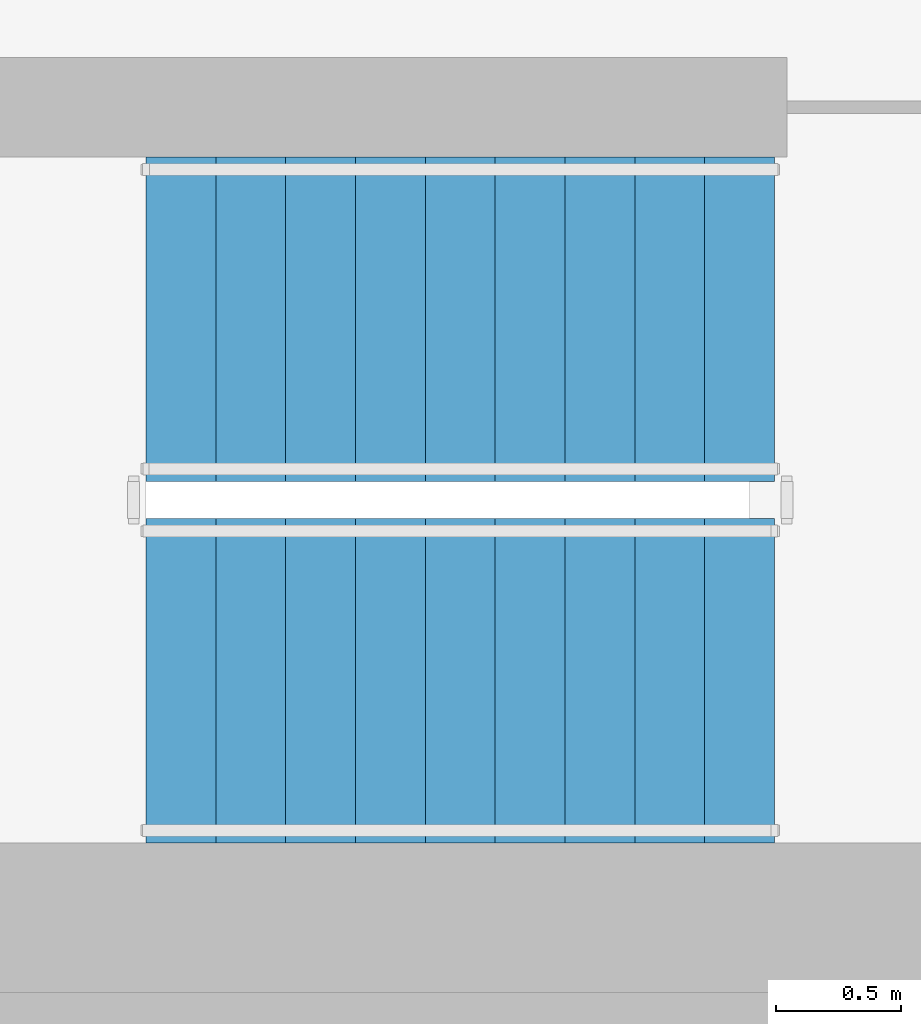
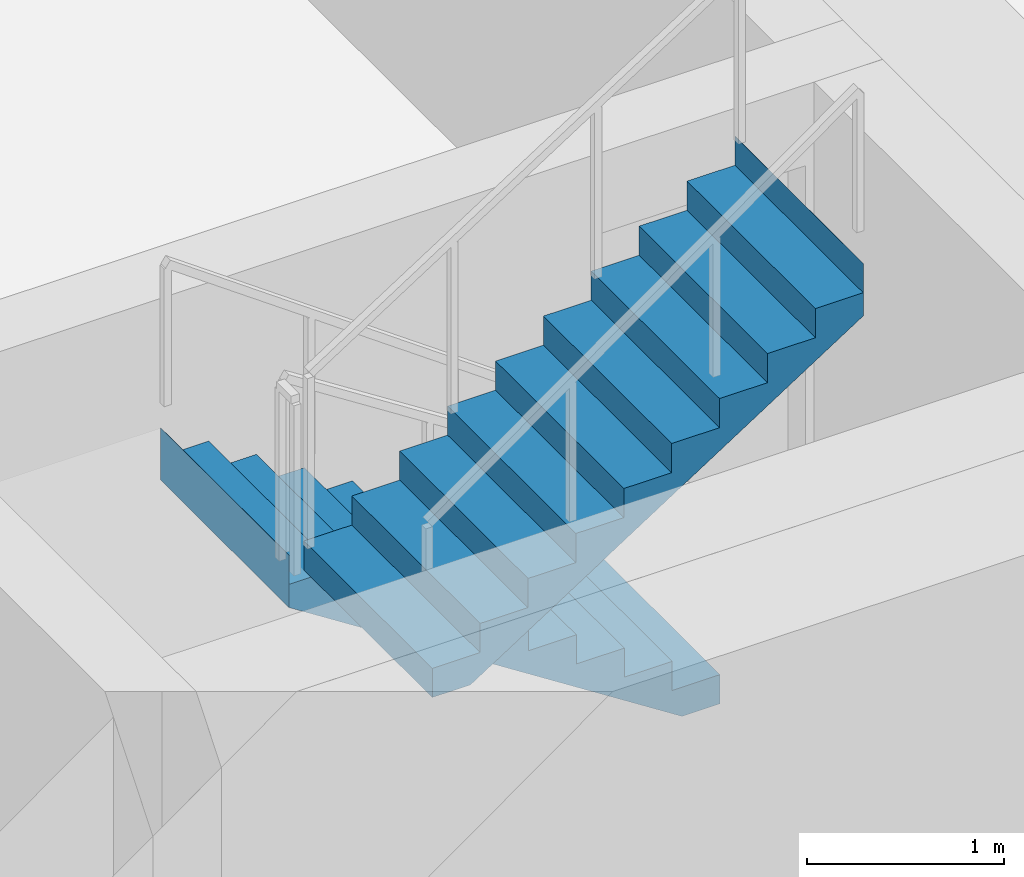
# One storey, part 18 of 22: 2 stair flights, 1 element without a shape of its own.
"""IFC4 building model written with IfcOpenShell, lengths in metres."""

from ifc_helpers import new_model, si_unit, direction, frame, origin, place, context, subcontext, project, spatial, triangles, material, type_object, element, aggregate, save


model = new_model("IFC4")

# Units and contexts
model_context = context("Model", 3, precision=1e-05, world=origin(), true_north=direction((0.0, 1.0)))
body_context = subcontext(model_context, "Body", "Model", "MODEL_VIEW")
ifc_project = project(units=[si_unit("LENGTHUNIT", "METRE"), si_unit("AREAUNIT", "SQUARE_METRE"), si_unit("VOLUMEUNIT", "CUBIC_METRE"), si_unit("PLANEANGLEUNIT", "RADIAN"), si_unit("MASSUNIT", "GRAM", prefix="KILO")], contexts=[model_context])

# Site, building, storey
site_placement = place(None, origin())
site = spatial("IfcSite", under=ifc_project, at=site_placement, CompositionType="ELEMENT")
building_placement = place(site_placement, origin())
building = spatial("IfcBuilding", under=site, at=building_placement, Name="Beryl Residences", CompositionType="ELEMENT")
storey_placement = place(building_placement, frame((0.0, 0.0, 153.60009765625)))
storey = spatial("IfcBuildingStorey", under=building, at=storey_placement, Name="L47", CompositionType="ELEMENT", Elevation=153.60009765625)

# Stair, stair flights
ifc_material_1 = material(Name="Concrete C40/50", Category="concrete")
stair_type = type_object("IfcStairType", Name="ST1 protected exit stair, half-turn, 1300 mm flights", PredefinedType="HALF_TURN_STAIR", material=ifc_material_1)
stair_placement = place(storey_placement, origin())
stair = element("IfcStair", 1, at=stair_placement, inside=storey, type_object=stair_type, Name="L47 PROTECTED EXIT STAIR ST-3", PredefinedType="HALF_TURN_STAIR")
ifc_material_2 = material(Name="Concrete C40/50", Category="concrete")
stair_flight_type = type_object("IfcStairFlightType", Name="SF1 stair flight 1300 mm", PredefinedType="STRAIGHT", material=ifc_material_2)
stair_flight_1_placement = place(storey_placement, frame((10.800048828125, -15.5, 0.0), z_axis=(0.0, 0.0, 1.0), x_axis=(-1.0, 0.0, 0.0)))
stair_flight_1 = element("IfcStairFlight", 2, at=stair_flight_1_placement, type_object=stair_flight_type, Name="ST-3 flight 1", NumberOfRisers=10, NumberOfTreads=9, PredefinedType="STRAIGHT", RiserHeight=0.18, TreadLength=0.28, context=body_context, shape_type="Tessellation", body=[
    triangles([(0.0, -0.64990234375, 0.0), (0.0, -0.324951171875, 0.0), (0.0, 0.0, 0.0), (0.0, 0.324951171875, 0.0), (0.0, 0.64990234375, 0.0), (0.0, -0.64990234375, 0.179931640625), (0.0, -0.324951171875, 0.179931640625), (0.0, 0.0, 0.179931640625), (0.0, 0.324951171875, 0.179931640625), (0.0, 0.64990234375, 0.179931640625), (0.280029296875, -0.64990234375, 0.179931640625), (0.280029296875, -0.324951171875, 0.179931640625), (0.280029296875, 0.0, 0.179931640625), (0.280029296875, 0.324951171875, 0.179931640625), (0.280029296875, 0.64990234375, 0.179931640625), (0.280029296875, -0.64990234375, 0.360107421875), (0.280029296875, -0.324951171875, 0.360107421875), (0.280029296875, 0.0, 0.360107421875), (0.280029296875, 0.324951171875, 0.360107421875), (0.280029296875, 0.64990234375, 0.360107421875), (0.56005859375, -0.64990234375, 0.360107421875), (0.56005859375, -0.324951171875, 0.360107421875), (0.56005859375, 0.0, 0.360107421875), (0.56005859375, 0.324951171875, 0.360107421875), (0.56005859375, 0.64990234375, 0.360107421875), (0.56005859375, -0.64990234375, 0.5400390625), (0.56005859375, -0.324951171875, 0.5400390625), (0.56005859375, 0.0, 0.5400390625), (0.56005859375, 0.324951171875, 0.5400390625), (0.56005859375, 0.64990234375, 0.5400390625), (0.840087890625, -0.64990234375, 0.5400390625), (0.840087890625, -0.324951171875, 0.5400390625), (0.840087890625, 0.0, 0.5400390625), (0.840087890625, 0.324951171875, 0.5400390625), (0.840087890625, 0.64990234375, 0.5400390625), (0.840087890625, -0.64990234375, 0.719970703125), (0.840087890625, -0.324951171875, 0.719970703125), (0.840087890625, 0.0, 0.719970703125), (0.840087890625, 0.324951171875, 0.719970703125), (0.840087890625, 0.64990234375, 0.719970703125), (1.1201171875, -0.64990234375, 0.719970703125), (1.1201171875, -0.324951171875, 0.719970703125), (1.1201171875, 0.0, 0.719970703125), (1.1201171875, 0.324951171875, 0.719970703125), (1.1201171875, 0.64990234375, 0.719970703125), (1.1201171875, -0.64990234375, 0.89990234375), (1.1201171875, -0.324951171875, 0.89990234375), (1.1201171875, 0.0, 0.89990234375), (1.1201171875, 0.324951171875, 0.89990234375), (1.1201171875, 0.64990234375, 0.89990234375), (1.39990234375, -0.64990234375, 0.89990234375), (1.39990234375, -0.324951171875, 0.89990234375), (1.39990234375, 0.0, 0.89990234375), (1.39990234375, 0.324951171875, 0.89990234375), (1.39990234375, 0.64990234375, 0.89990234375), (1.39990234375, -0.64990234375, 1.080078125), (1.39990234375, -0.324951171875, 1.080078125), (1.39990234375, 0.0, 1.080078125), (1.39990234375, 0.324951171875, 1.080078125), (1.39990234375, 0.64990234375, 1.080078125), (1.679931640625, -0.64990234375, 1.080078125), (1.679931640625, -0.324951171875, 1.080078125), (1.679931640625, 0.0, 1.080078125), (1.679931640625, 0.324951171875, 1.080078125), (1.679931640625, 0.64990234375, 1.080078125), (1.679931640625, -0.64990234375, 1.260009765625), (1.679931640625, -0.324951171875, 1.260009765625), (1.679931640625, 0.0, 1.260009765625), (1.679931640625, 0.324951171875, 1.260009765625), (1.679931640625, 0.64990234375, 1.260009765625), (1.9599609375, -0.64990234375, 1.260009765625), (1.9599609375, -0.324951171875, 1.260009765625), (1.9599609375, 0.0, 1.260009765625), (1.9599609375, 0.324951171875, 1.260009765625), (1.9599609375, 0.64990234375, 1.260009765625), (1.9599609375, -0.64990234375, 1.43994140625), (1.9599609375, -0.324951171875, 1.43994140625), (1.9599609375, 0.0, 1.43994140625), (1.9599609375, 0.324951171875, 1.43994140625), (1.9599609375, 0.64990234375, 1.43994140625), (2.239990234375, -0.64990234375, 1.43994140625), (2.239990234375, -0.324951171875, 1.43994140625), (2.239990234375, 0.0, 1.43994140625), (2.239990234375, 0.324951171875, 1.43994140625), (2.239990234375, 0.64990234375, 1.43994140625), (2.239990234375, -0.64990234375, 1.6201171875), (2.239990234375, -0.324951171875, 1.6201171875), (2.239990234375, 0.0, 1.6201171875), (2.239990234375, 0.324951171875, 1.6201171875), (2.239990234375, 0.64990234375, 1.6201171875), (2.52001953125, -0.64990234375, 1.6201171875), (2.52001953125, -0.324951171875, 1.6201171875), (2.52001953125, 0.0, 1.6201171875), (2.52001953125, 0.324951171875, 1.6201171875), (2.52001953125, 0.64990234375, 1.6201171875), (2.52001953125, -0.64990234375, 1.800048828125), (2.52001953125, -0.324951171875, 1.800048828125), (2.52001953125, 0.0, 1.800048828125), (2.52001953125, 0.324951171875, 1.800048828125), (2.52001953125, 0.64990234375, 1.800048828125), (2.52099609375, -0.64990234375, 1.800048828125), (2.52099609375, -0.324951171875, 1.800048828125), (2.52099609375, 0.0, 1.800048828125), (2.52099609375, 0.324951171875, 1.800048828125), (2.52099609375, 0.64990234375, 1.800048828125), (2.52099609375, -0.64990234375, 1.477294921875), (2.52099609375, -0.324951171875, 1.477294921875), (2.52099609375, 0.0, 1.477294921875), (2.52099609375, 0.324951171875, 1.477294921875), (2.52099609375, 0.64990234375, 1.477294921875), (0.22314453125, -0.64990234375, 0.0), (0.22314453125, -0.324951171875, 0.0), (0.22314453125, 0.0, 0.0), (0.22314453125, 0.324951171875, 0.0), (0.22314453125, 0.64990234375, 0.0)], [[1, 6, 7], [1, 7, 2], [2, 7, 8], [2, 8, 3], [3, 8, 9], [3, 9, 4], [4, 9, 10], [4, 10, 5], [6, 11, 12], [6, 12, 7], [7, 12, 13], [7, 13, 8], [8, 13, 14], [8, 14, 9], [9, 14, 15], [9, 15, 10], [11, 16, 17], [11, 17, 12], [12, 17, 18], [12, 18, 13], [13, 18, 19], [13, 19, 14], [14, 19, 20], [14, 20, 15], [16, 21, 22], [16, 22, 17], [17, 22, 23], [17, 23, 18], [18, 23, 24], [18, 24, 19], [19, 24, 25], [19, 25, 20], [21, 26, 27], [21, 27, 22], [22, 27, 28], [22, 28, 23], [23, 28, 29], [23, 29, 24], [24, 29, 30], [24, 30, 25], [26, 31, 32], [26, 32, 27], [27, 32, 33], [27, 33, 28], [28, 33, 34], [28, 34, 29], [29, 34, 35], [29, 35, 30], [31, 36, 37], [31, 37, 32], [32, 37, 38], [32, 38, 33], [33, 38, 39], [33, 39, 34], [34, 39, 40], [34, 40, 35], [36, 41, 42], [36, 42, 37], [37, 42, 43], [37, 43, 38], [38, 43, 44], [38, 44, 39], [39, 44, 45], [39, 45, 40], [41, 46, 47], [41, 47, 42], [42, 47, 48], [42, 48, 43], [43, 48, 49], [43, 49, 44], [44, 49, 50], [44, 50, 45], [46, 51, 52], [46, 52, 47], [47, 52, 53], [47, 53, 48], [48, 53, 54], [48, 54, 49], [49, 54, 55], [49, 55, 50], [51, 56, 57], [51, 57, 52], [52, 57, 58], [52, 58, 53], [53, 58, 59], [53, 59, 54], [54, 59, 60], [54, 60, 55], [56, 61, 62], [56, 62, 57], [57, 62, 63], [57, 63, 58], [58, 63, 64], [58, 64, 59], [59, 64, 65], [59, 65, 60], [61, 66, 67], [61, 67, 62], [62, 67, 68], [62, 68, 63], [63, 68, 69], [63, 69, 64], [64, 69, 70], [64, 70, 65], [66, 71, 72], [66, 72, 67], [67, 72, 73], [67, 73, 68], [68, 73, 74], [68, 74, 69], [69, 74, 75], [69, 75, 70], [71, 76, 77], [71, 77, 72], [72, 77, 78], [72, 78, 73], [73, 78, 79], [73, 79, 74], [74, 79, 80], [74, 80, 75], [76, 81, 82], [76, 82, 77], [77, 82, 83], [77, 83, 78], [78, 83, 84], [78, 84, 79], [79, 84, 85], [79, 85, 80], [81, 86, 87], [81, 87, 82], [82, 87, 88], [82, 88, 83], [83, 88, 89], [83, 89, 84], [84, 89, 90], [84, 90, 85], [86, 91, 92], [86, 92, 87], [87, 92, 93], [87, 93, 88], [88, 93, 94], [88, 94, 89], [89, 94, 95], [89, 95, 90], [91, 96, 97], [91, 97, 92], [92, 97, 98], [92, 98, 93], [93, 98, 99], [93, 99, 94], [94, 99, 100], [94, 100, 95], [96, 101, 102], [96, 102, 97], [97, 102, 103], [97, 103, 98], [98, 103, 104], [98, 104, 99], [99, 104, 105], [99, 105, 100], [101, 106, 107], [101, 107, 102], [102, 107, 108], [102, 108, 103], [103, 108, 109], [103, 109, 104], [104, 109, 110], [104, 110, 105], [106, 111, 112], [106, 112, 107], [107, 112, 113], [107, 113, 108], [108, 113, 114], [108, 114, 109], [109, 114, 115], [109, 115, 110], [111, 1, 2], [111, 2, 112], [112, 2, 3], [112, 3, 113], [113, 3, 4], [113, 4, 114], [114, 4, 5], [114, 5, 115], [1, 111, 106], [5, 110, 115], [106, 101, 96], [110, 100, 105], [106, 96, 91], [110, 95, 100], [106, 91, 86], [110, 90, 95], [106, 86, 81], [110, 85, 90], [81, 76, 71], [85, 75, 80], [106, 81, 71], [110, 75, 85], [71, 66, 61], [75, 65, 70], [106, 71, 61], [110, 65, 75], [61, 56, 51], [65, 55, 60], [106, 61, 51], [110, 55, 65], [51, 46, 41], [55, 45, 50], [106, 51, 41], [110, 45, 55], [41, 36, 31], [45, 35, 40], [106, 41, 31], [110, 35, 45], [31, 26, 21], [35, 25, 30], [106, 31, 21], [110, 25, 35], [21, 16, 11], [25, 15, 20], [106, 21, 11], [110, 15, 25], [1, 106, 11], [5, 15, 110], [11, 6, 1], [15, 5, 10]], closed=True),
])
stair_flight_2_placement = place(storey_placement, frame((8.280029296875, -16.949951171875, 1.7998046875), z_axis=(0.0, 0.0, 1.0), x_axis=(1.0, 0.0, 0.0)))
stair_flight_2 = element("IfcStairFlight", 3, at=stair_flight_2_placement, type_object=stair_flight_type, Name="ST-3 flight 2", NumberOfRisers=10, NumberOfTreads=9, PredefinedType="STRAIGHT", RiserHeight=0.18, TreadLength=0.28, context=body_context, shape_type="Tessellation", body=[
    triangles([(0.0, -0.64990234375, 0.0), (0.0, -0.324951171875, 0.0), (0.0, 0.0, 0.0), (0.0, 0.324951171875, 0.0), (0.0, 0.64990234375, 0.0), (0.0, -0.64990234375, 0.179931640625), (0.0, -0.324951171875, 0.179931640625), (0.0, 0.0, 0.179931640625), (0.0, 0.324951171875, 0.179931640625), (0.0, 0.64990234375, 0.179931640625), (0.280029296875, -0.64990234375, 0.179931640625), (0.280029296875, -0.324951171875, 0.179931640625), (0.280029296875, 0.0, 0.179931640625), (0.280029296875, 0.324951171875, 0.179931640625), (0.280029296875, 0.64990234375, 0.179931640625), (0.280029296875, -0.64990234375, 0.360107421875), (0.280029296875, -0.324951171875, 0.360107421875), (0.280029296875, 0.0, 0.360107421875), (0.280029296875, 0.324951171875, 0.360107421875), (0.280029296875, 0.64990234375, 0.360107421875), (0.56005859375, -0.64990234375, 0.360107421875), (0.56005859375, -0.324951171875, 0.360107421875), (0.56005859375, 0.0, 0.360107421875), (0.56005859375, 0.324951171875, 0.360107421875), (0.56005859375, 0.64990234375, 0.360107421875), (0.56005859375, -0.64990234375, 0.5400390625), (0.56005859375, -0.324951171875, 0.5400390625), (0.56005859375, 0.0, 0.5400390625), (0.56005859375, 0.324951171875, 0.5400390625), (0.56005859375, 0.64990234375, 0.5400390625), (0.840087890625, -0.64990234375, 0.5400390625), (0.840087890625, -0.324951171875, 0.5400390625), (0.840087890625, 0.0, 0.5400390625), (0.840087890625, 0.324951171875, 0.5400390625), (0.840087890625, 0.64990234375, 0.5400390625), (0.840087890625, -0.64990234375, 0.719970703125), (0.840087890625, -0.324951171875, 0.719970703125), (0.840087890625, 0.0, 0.719970703125), (0.840087890625, 0.324951171875, 0.719970703125), (0.840087890625, 0.64990234375, 0.719970703125), (1.1201171875, -0.64990234375, 0.719970703125), (1.1201171875, -0.324951171875, 0.719970703125), (1.1201171875, 0.0, 0.719970703125), (1.1201171875, 0.324951171875, 0.719970703125), (1.1201171875, 0.64990234375, 0.719970703125), (1.1201171875, -0.64990234375, 0.89990234375), (1.1201171875, -0.324951171875, 0.89990234375), (1.1201171875, 0.0, 0.89990234375), (1.1201171875, 0.324951171875, 0.89990234375), (1.1201171875, 0.64990234375, 0.89990234375), (1.39990234375, -0.64990234375, 0.89990234375), (1.39990234375, -0.324951171875, 0.89990234375), (1.39990234375, 0.0, 0.89990234375), (1.39990234375, 0.324951171875, 0.89990234375), (1.39990234375, 0.64990234375, 0.89990234375), (1.39990234375, -0.64990234375, 1.080078125), (1.39990234375, -0.324951171875, 1.080078125), (1.39990234375, 0.0, 1.080078125), (1.39990234375, 0.324951171875, 1.080078125), (1.39990234375, 0.64990234375, 1.080078125), (1.679931640625, -0.64990234375, 1.080078125), (1.679931640625, -0.324951171875, 1.080078125), (1.679931640625, 0.0, 1.080078125), (1.679931640625, 0.324951171875, 1.080078125), (1.679931640625, 0.64990234375, 1.080078125), (1.679931640625, -0.64990234375, 1.260009765625), (1.679931640625, -0.324951171875, 1.260009765625), (1.679931640625, 0.0, 1.260009765625), (1.679931640625, 0.324951171875, 1.260009765625), (1.679931640625, 0.64990234375, 1.260009765625), (1.9599609375, -0.64990234375, 1.260009765625), (1.9599609375, -0.324951171875, 1.260009765625), (1.9599609375, 0.0, 1.260009765625), (1.9599609375, 0.324951171875, 1.260009765625), (1.9599609375, 0.64990234375, 1.260009765625), (1.9599609375, -0.64990234375, 1.43994140625), (1.9599609375, -0.324951171875, 1.43994140625), (1.9599609375, 0.0, 1.43994140625), (1.9599609375, 0.324951171875, 1.43994140625), (1.9599609375, 0.64990234375, 1.43994140625), (2.239990234375, -0.64990234375, 1.43994140625), (2.239990234375, -0.324951171875, 1.43994140625), (2.239990234375, 0.0, 1.43994140625), (2.239990234375, 0.324951171875, 1.43994140625), (2.239990234375, 0.64990234375, 1.43994140625), (2.239990234375, -0.64990234375, 1.6201171875), (2.239990234375, -0.324951171875, 1.6201171875), (2.239990234375, 0.0, 1.6201171875), (2.239990234375, 0.324951171875, 1.6201171875), (2.239990234375, 0.64990234375, 1.6201171875), (2.52001953125, -0.64990234375, 1.6201171875), (2.52001953125, -0.324951171875, 1.6201171875), (2.52001953125, 0.0, 1.6201171875), (2.52001953125, 0.324951171875, 1.6201171875), (2.52001953125, 0.64990234375, 1.6201171875), (2.52001953125, -0.64990234375, 1.800048828125), (2.52001953125, -0.324951171875, 1.800048828125), (2.52001953125, 0.0, 1.800048828125), (2.52001953125, 0.324951171875, 1.800048828125), (2.52001953125, 0.64990234375, 1.800048828125), (2.52099609375, -0.64990234375, 1.800048828125), (2.52099609375, -0.324951171875, 1.800048828125), (2.52099609375, 0.0, 1.800048828125), (2.52099609375, 0.324951171875, 1.800048828125), (2.52099609375, 0.64990234375, 1.800048828125), (2.52099609375, -0.64990234375, 1.477294921875), (2.52099609375, -0.324951171875, 1.477294921875), (2.52099609375, 0.0, 1.477294921875), (2.52099609375, 0.324951171875, 1.477294921875), (2.52099609375, 0.64990234375, 1.477294921875), (0.22314453125, -0.64990234375, 0.0), (0.22314453125, -0.324951171875, 0.0), (0.22314453125, 0.0, 0.0), (0.22314453125, 0.324951171875, 0.0), (0.22314453125, 0.64990234375, 0.0)], [[1, 6, 7], [1, 7, 2], [2, 7, 8], [2, 8, 3], [3, 8, 9], [3, 9, 4], [4, 9, 10], [4, 10, 5], [6, 11, 12], [6, 12, 7], [7, 12, 13], [7, 13, 8], [8, 13, 14], [8, 14, 9], [9, 14, 15], [9, 15, 10], [11, 16, 17], [11, 17, 12], [12, 17, 18], [12, 18, 13], [13, 18, 19], [13, 19, 14], [14, 19, 20], [14, 20, 15], [16, 21, 22], [16, 22, 17], [17, 22, 23], [17, 23, 18], [18, 23, 24], [18, 24, 19], [19, 24, 25], [19, 25, 20], [21, 26, 27], [21, 27, 22], [22, 27, 28], [22, 28, 23], [23, 28, 29], [23, 29, 24], [24, 29, 30], [24, 30, 25], [26, 31, 32], [26, 32, 27], [27, 32, 33], [27, 33, 28], [28, 33, 34], [28, 34, 29], [29, 34, 35], [29, 35, 30], [31, 36, 37], [31, 37, 32], [32, 37, 38], [32, 38, 33], [33, 38, 39], [33, 39, 34], [34, 39, 40], [34, 40, 35], [36, 41, 42], [36, 42, 37], [37, 42, 43], [37, 43, 38], [38, 43, 44], [38, 44, 39], [39, 44, 45], [39, 45, 40], [41, 46, 47], [41, 47, 42], [42, 47, 48], [42, 48, 43], [43, 48, 49], [43, 49, 44], [44, 49, 50], [44, 50, 45], [46, 51, 52], [46, 52, 47], [47, 52, 53], [47, 53, 48], [48, 53, 54], [48, 54, 49], [49, 54, 55], [49, 55, 50], [51, 56, 57], [51, 57, 52], [52, 57, 58], [52, 58, 53], [53, 58, 59], [53, 59, 54], [54, 59, 60], [54, 60, 55], [56, 61, 62], [56, 62, 57], [57, 62, 63], [57, 63, 58], [58, 63, 64], [58, 64, 59], [59, 64, 65], [59, 65, 60], [61, 66, 67], [61, 67, 62], [62, 67, 68], [62, 68, 63], [63, 68, 69], [63, 69, 64], [64, 69, 70], [64, 70, 65], [66, 71, 72], [66, 72, 67], [67, 72, 73], [67, 73, 68], [68, 73, 74], [68, 74, 69], [69, 74, 75], [69, 75, 70], [71, 76, 77], [71, 77, 72], [72, 77, 78], [72, 78, 73], [73, 78, 79], [73, 79, 74], [74, 79, 80], [74, 80, 75], [76, 81, 82], [76, 82, 77], [77, 82, 83], [77, 83, 78], [78, 83, 84], [78, 84, 79], [79, 84, 85], [79, 85, 80], [81, 86, 87], [81, 87, 82], [82, 87, 88], [82, 88, 83], [83, 88, 89], [83, 89, 84], [84, 89, 90], [84, 90, 85], [86, 91, 92], [86, 92, 87], [87, 92, 93], [87, 93, 88], [88, 93, 94], [88, 94, 89], [89, 94, 95], [89, 95, 90], [91, 96, 97], [91, 97, 92], [92, 97, 98], [92, 98, 93], [93, 98, 99], [93, 99, 94], [94, 99, 100], [94, 100, 95], [96, 101, 102], [96, 102, 97], [97, 102, 103], [97, 103, 98], [98, 103, 104], [98, 104, 99], [99, 104, 105], [99, 105, 100], [101, 106, 107], [101, 107, 102], [102, 107, 108], [102, 108, 103], [103, 108, 109], [103, 109, 104], [104, 109, 110], [104, 110, 105], [106, 111, 112], [106, 112, 107], [107, 112, 113], [107, 113, 108], [108, 113, 114], [108, 114, 109], [109, 114, 115], [109, 115, 110], [111, 1, 2], [111, 2, 112], [112, 2, 3], [112, 3, 113], [113, 3, 4], [113, 4, 114], [114, 4, 5], [114, 5, 115], [1, 111, 106], [5, 110, 115], [106, 101, 96], [110, 100, 105], [106, 96, 91], [110, 95, 100], [106, 91, 86], [110, 90, 95], [106, 86, 81], [110, 85, 90], [81, 76, 71], [85, 75, 80], [106, 81, 71], [110, 75, 85], [71, 66, 61], [75, 65, 70], [106, 71, 61], [110, 65, 75], [61, 56, 51], [65, 55, 60], [106, 61, 51], [110, 55, 65], [51, 46, 41], [55, 45, 50], [106, 51, 41], [110, 45, 55], [41, 36, 31], [45, 35, 40], [106, 41, 31], [110, 35, 45], [31, 26, 21], [35, 25, 30], [106, 31, 21], [110, 25, 35], [21, 16, 11], [25, 15, 20], [106, 21, 11], [110, 15, 25], [1, 106, 11], [5, 15, 110], [11, 6, 1], [15, 5, 10]], closed=True),
])
aggregate(stair, [stair_flight_1, stair_flight_2])

save(model, "model.ifc")
